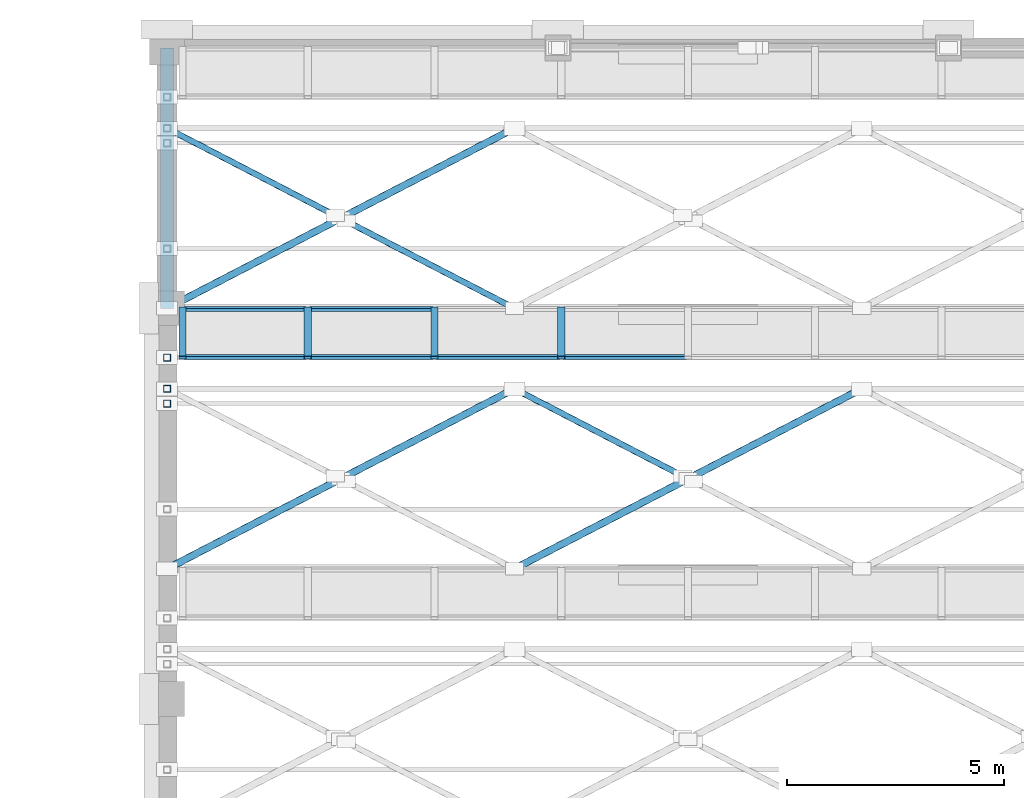
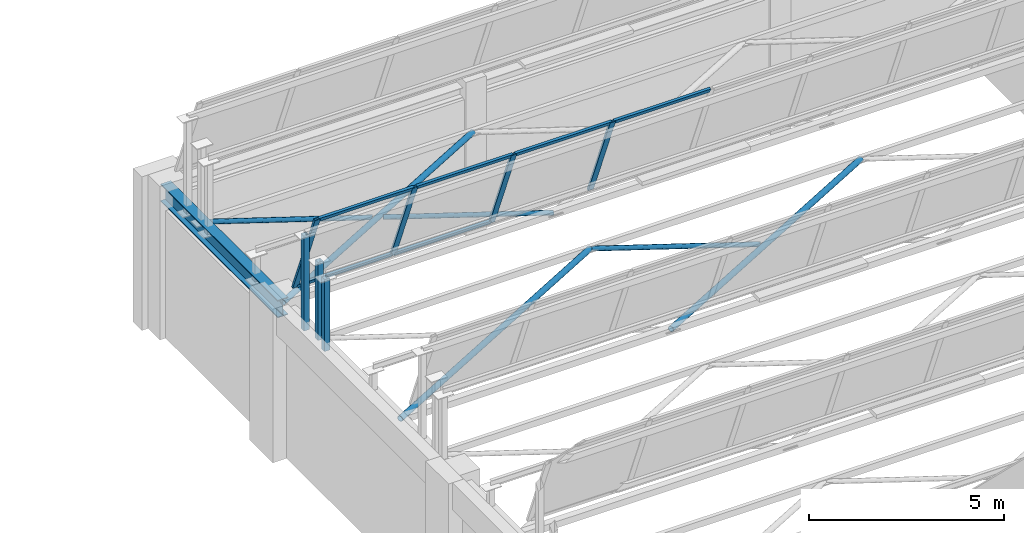
# One storey, part 59 of 98: 19 members, 1 beam, 1 element without a shape of its own.
"""IFC4 building model written with IfcOpenShell, lengths in metres."""

from ifc_helpers import new_model, si_unit, direction, frame, origin, origin_2d, place, context, subcontext, project, spatial, hollow_rectangle, hollow_circle, i_section, extrude, material, material_profile, profile_set, type_object, element, aggregate, save


model = new_model("IFC4")

# Units and contexts
model_context = context("Model", 3, precision=1e-05, world=origin(), true_north=direction((0.0, 1.0)))
body_context = subcontext(model_context, "Body", "Model", "MODEL_VIEW")
ifc_project = project(units=[si_unit("LENGTHUNIT", "METRE"), si_unit("AREAUNIT", "SQUARE_METRE"), si_unit("VOLUMEUNIT", "CUBIC_METRE"), si_unit("PLANEANGLEUNIT", "RADIAN"), si_unit("MASSUNIT", "GRAM", prefix="KILO")], contexts=[model_context])

# Site, building, storey
site_placement = place(None, origin())
site = spatial("IfcSite", under=ifc_project, at=site_placement, CompositionType="ELEMENT")
building_placement = place(site_placement, origin())
building = spatial("IfcBuilding", under=site, at=building_placement, Name="Lykobir Media Centre", CompositionType="ELEMENT")
storey_placement = place(building_placement, frame((0.0, 0.0, 10.199951171875)))
storey = spatial("IfcBuildingStorey", under=building, at=storey_placement, Name="L02", CompositionType="ELEMENT", Elevation=10.199951171875)

# Beam
ifc_material_1 = material(Name="Steel S355", Category="steel")
ifc_material_profile_1 = material_profile(ifc_material_1, i_section(OverallWidth=0.300048828125, OverallDepth=0.550048828125, WebThickness=0.014892578125, FlangeThickness=0.029052734375, at=origin_2d()), Name="HEB 550")
ifc_profile_set_1 = profile_set([ifc_material_profile_1], Name="Steel S355")
beam_type = type_object("IfcBeamType", Name="BM-HEB550-E", PredefinedType="BEAM", material=ifc_profile_set_1)
beam_placement = place(storey_placement, frame((144.0, 108.0, 4.275146484375), z_axis=(0.0, 1.0, 0.0), x_axis=(-1.0, 0.0, 0.0)))
element("IfcBeam", 1, at=beam_placement, inside=storey, type_object=beam_type, Name="Beam BM-L02-1440-1080-1440-1140-1448", PredefinedType="BEAM", context=body_context, shape_type="SweptSolid", body=[
    extrude(i_section(OverallWidth=0.300048828125, OverallDepth=0.550048828125, WebThickness=0.014892578125, FlangeThickness=0.029052734375, at=origin_2d()), origin(), (0.0, 0.0, 1.0), 6.0),
])

# Members
ifc_material_profile_2 = material_profile(ifc_material_1, hollow_circle(Radius=0.06982421875, WallThickness=0.008056640625, at=origin_2d()), Name="CHS 139.7x8.0")
ifc_profile_set_2 = profile_set([ifc_material_profile_2], Name="Steel S355")
member_type_1 = type_object("IfcMemberType", Name="BR-CHS140", PredefinedType="BRACE", material=ifc_profile_set_2)
member_1_placement = place(storey_placement, frame((155.875732421875, 104.136962890625, 4.43994140625), z_axis=(-0.88790262671, 0.460031439666, 0.0), x_axis=(-0.460031439666, -0.88790262671, 0.0)))
element("IfcMember", 2, at=member_1_placement, inside=storey, type_object=member_type_1, Name="Diagonal brace MEM2-L02-1559-1041-0146-1520-1061-0393", PredefinedType="BRACE", context=body_context, shape_type="SweptSolid", body=[
    extrude(hollow_circle(Radius=0.06982421875, WallThickness=0.008056640625, at=origin_2d()), origin(), (0.0, 0.0, 1.0), 4.364990234375),
])
member_2_placement = place(storey_placement, frame((152.0, 108.0, 4.43994140625), z_axis=(-0.887879780504, 0.460075532247, 0.0), x_axis=(-0.460075532247, -0.887879780504, 0.0)))
element("IfcMember", 3, at=member_2_placement, inside=storey, type_object=member_type_1, Name="Diagonal brace MEM2-L02-1520-1080-0146-1481-1100-0409", PredefinedType="BRACE", context=body_context, shape_type="SweptSolid", body=[
    extrude(hollow_circle(Radius=0.06982421875, WallThickness=0.008056640625, at=origin_2d()), origin(), (0.0, 0.0, 1.0), 4.365234375),
])
member_3_placement = place(storey_placement, frame((147.875732421875, 110.136962890625, 4.43994140625), z_axis=(-0.88790262671, 0.460031439666, 0.0), x_axis=(-0.460031439666, -0.88790262671, 0.0)))
element("IfcMember", 4, at=member_3_placement, inside=storey, type_object=member_type_1, Name="Diagonal brace MEM2-L02-1479-1101-0146-1440-1121-0410", PredefinedType="BRACE", context=body_context, shape_type="SweptSolid", body=[
    extrude(hollow_circle(Radius=0.06982421875, WallThickness=0.008056640625, at=origin_2d()), origin(), (0.0, 0.0, 1.0), 4.364990234375),
])
ifc_material_profile_3 = material_profile(ifc_material_1, hollow_circle(Radius=0.084228515625, WallThickness=0.010009765625, at=origin_2d()), Name="CHS 168.3x10.0")
ifc_profile_set_3 = profile_set([ifc_material_profile_3], Name="Steel S355")
member_type_2 = type_object("IfcMemberType", Name="BR-CHS168", PredefinedType="BRACE", material=ifc_profile_set_3)
for number, where, z_axis, x_axis, name in (
    (5, (144.0, 102.0, 4.43994140625), (0.887896386773, 0.460043483113, 0.0), (-0.460043483113, 0.887896386773, 0.0), "Diagonal brace MEM2-L02-1440-1020-0146-1520-1061-0388"),
    (6, (152.0, 102.0, 4.43994140625), (0.887896386773, 0.460043483113, 0.0), (-0.460043483113, 0.887896386773, 0.0), "Diagonal brace MEM2-L02-1520-1020-0146-1600-1061-0391"),
    (7, (144.0, 108.0, 4.43994140625), (0.887896386773, 0.460043483113, 0.0), (-0.460043483113, 0.887896386773, 0.0), "Diagonal brace MEM2-L02-1440-1080-0146-1520-1121-0408"),
):
    element("IfcMember", number, at=place(storey_placement, frame(where, z_axis=z_axis, x_axis=x_axis)), inside=storey, type_object=member_type_2, Name=name, PredefinedType="BRACE", context=body_context, shape_type="SweptSolid", body=[
        extrude(hollow_circle(Radius=0.084228515625, WallThickness=0.010009765625, at=origin_2d()), origin(), (0.0, 0.0, 1.0), 9.010009765625),
    ])
ifc_material_profile_4 = material_profile(ifc_material_1, hollow_rectangle(XDim=0.159912109375, YDim=0.159912109375, WallThickness=0.008056640625, at=origin_2d()), Name="SHS 160x160x8")
ifc_profile_set_4 = profile_set([ifc_material_profile_4], Name="Steel S355")
member_type_3 = type_object("IfcMemberType", Name="BR-SHS160", PredefinedType="BRACE", material=ifc_profile_set_4)
member_4_placement = place(storey_placement, frame((144.0, 106.864990234375, 4.300048828125), z_axis=(0.0, 0.0, 1.0), x_axis=(1.0, 0.0, 0.0)))
element("IfcMember", 8, at=member_4_placement, inside=storey, type_object=member_type_3, Name="Diagonal brace MEM2-L02-1440-1069-0145-1440-1069-0382", PredefinedType="BRACE", context=body_context, shape_type="SweptSolid", body=[
    extrude(hollow_rectangle(XDim=0.159912109375, YDim=0.159912109375, WallThickness=0.008056640625, at=origin_2d()), origin(), (0.0, 0.0, 1.0), 2.958984375),
])
member_5_placement = place(storey_placement, frame((144.0, 106.14501953125, 4.43994140625), z_axis=(0.0, 0.0, 1.0), x_axis=(1.0, 0.0, 0.0)))
element("IfcMember", 9, at=member_5_placement, inside=storey, type_object=member_type_3, Name="Diagonal brace MEM2-L02-1440-1061-0146-1440-1061-0384", PredefinedType="BRACE", context=body_context, shape_type="SweptSolid", body=[
    extrude(hollow_rectangle(XDim=0.159912109375, YDim=0.159912109375, WallThickness=0.008056640625, at=origin_2d()), origin(), (0.0, 0.0, 1.0), 2.433349609375),
])
member_6_placement = place(storey_placement, frame((144.0, 105.805908203125, 4.300048828125), z_axis=(0.0, 0.0, 1.0), x_axis=(1.0, 0.0, 0.0)))
element("IfcMember", 10, at=member_6_placement, inside=storey, type_object=member_type_3, Name="Diagonal brace MEM2-L02-1440-1058-0145-1440-1058-0399", PredefinedType="BRACE", context=body_context, shape_type="SweptSolid", body=[
    extrude(hollow_rectangle(XDim=0.159912109375, YDim=0.159912109375, WallThickness=0.008056640625, at=origin_2d()), origin(), (0.0, 0.0, 1.0), 2.24462890625),
])

# Curtain wall, members
ifc_material_2 = material(Name="Anodized Aluminium AW-6060", Category="aluminium")
curtain_wall_type = type_object("IfcCurtainWallType", Name="CW-NL-V2", PredefinedType="NOTDEFINED", material=ifc_material_2)
curtain_wall_placement = place(storey_placement, origin())
curtain_wall = element("IfcCurtainWall", 11, at=curtain_wall_placement, inside=storey, type_object=curtain_wall_type, Name="Curtain wall CW-NL-V2-06", PredefinedType="NOTDEFINED")
ifc_material_profile_5 = material_profile(ifc_material_2, hollow_rectangle(XDim=0.070068359375, YDim=0.1650390625, WallThickness=0.00390625, at=origin_2d()), Name="ALU MULLION 70x165")
ifc_profile_set_5 = profile_set([ifc_material_profile_5], Name="Anodized Aluminium AW-6060")
member_type_4 = type_object("IfcMemberType", Name="CWM-165", PredefinedType="MULLION", material=ifc_profile_set_5)
member_7_placement = place(storey_placement, frame((144.35498046875, 108.0, 4.800048828125), z_axis=(0.0, -0.374653582974, 0.927164868168), x_axis=(0.0, 0.927164868168, 0.374653582974)))
member_7 = element("IfcMember", 12, at=member_7_placement, type_object=member_type_4, Name="CW-NL-V2-06 mullion 1", PredefinedType="MULLION", context=body_context, shape_type="SweptSolid", body=[
    extrude(hollow_rectangle(XDim=0.070068359375, YDim=0.1650390625, WallThickness=0.00390625, at=origin_2d()), origin(), (0.0, 0.0, 1.0), 3.029541015625),
])
member_8_placement = place(storey_placement, frame((147.239990234375, 108.0, 4.800048828125), z_axis=(0.0, -0.374653582974, 0.927164868168), x_axis=(0.0, 0.927164868168, 0.374653582974)))
member_8 = element("IfcMember", 13, at=member_8_placement, type_object=member_type_4, Name="CW-NL-V2-06 mullion 2", PredefinedType="MULLION", context=body_context, shape_type="SweptSolid", body=[
    extrude(hollow_rectangle(XDim=0.070068359375, YDim=0.1650390625, WallThickness=0.00390625, at=origin_2d()), origin(), (0.0, 0.0, 1.0), 3.029541015625),
])
member_9_placement = place(storey_placement, frame((150.159912109375, 108.0, 4.800048828125), z_axis=(0.0, -0.374653582974, 0.927164868168), x_axis=(0.0, 0.927164868168, 0.374653582974)))
member_9 = element("IfcMember", 14, at=member_9_placement, type_object=member_type_4, Name="CW-NL-V2-06 mullion 3", PredefinedType="MULLION", context=body_context, shape_type="SweptSolid", body=[
    extrude(hollow_rectangle(XDim=0.070068359375, YDim=0.1650390625, WallThickness=0.00390625, at=origin_2d()), origin(), (0.0, 0.0, 1.0), 3.029541015625),
])
member_10_placement = place(storey_placement, frame((153.080078125, 108.0, 4.800048828125), z_axis=(0.0, -0.374653582974, 0.927164868168), x_axis=(0.0, 0.927164868168, 0.374653582974)))
member_10 = element("IfcMember", 15, at=member_10_placement, type_object=member_type_4, Name="CW-NL-V2-06 mullion 4", PredefinedType="MULLION", context=body_context, shape_type="SweptSolid", body=[
    extrude(hollow_rectangle(XDim=0.070068359375, YDim=0.1650390625, WallThickness=0.00390625, at=origin_2d()), origin(), (0.0, 0.0, 1.0), 3.029541015625),
])
ifc_material_profile_6 = material_profile(ifc_material_2, hollow_rectangle(XDim=0.070068359375, YDim=0.135009765625, WallThickness=0.00341796875, at=origin_2d()), Name="ALU TRANSOM 70x135")
ifc_profile_set_6 = profile_set([ifc_material_profile_6], Name="Anodized Aluminium AW-6060")
member_type_5 = type_object("IfcMemberType", Name="CWT-135", PredefinedType="USERDEFINED", material=ifc_profile_set_6)
member_11_placement = place(storey_placement, frame((144.389892578125, 107.98681640625, 4.83251953125), z_axis=(1.0, 0.0, 0.0), x_axis=(0.0, 0.927183854567, 0.374606593416)))
member_11 = element("IfcMember", 16, at=member_11_placement, type_object=member_type_5, Name="CW-NL-V2-06 transom 1.1", ObjectType="TRANSOM", PredefinedType="USERDEFINED", context=body_context, shape_type="SweptSolid", body=[
    extrude(hollow_rectangle(XDim=0.070068359375, YDim=0.135009765625, WallThickness=0.00341796875, at=origin_2d()), origin(), (0.0, 0.0, 1.0), 2.815185546875),
])
member_12_placement = place(storey_placement, frame((144.389892578125, 106.878173828125, 7.57666015625), z_axis=(1.0, 0.0, 0.0), x_axis=(0.0, 0.927183854567, 0.374606593416)))
member_12 = element("IfcMember", 17, at=member_12_placement, type_object=member_type_5, Name="CW-NL-V2-06 transom 1.2", ObjectType="TRANSOM", PredefinedType="USERDEFINED", context=body_context, shape_type="SweptSolid", body=[
    extrude(hollow_rectangle(XDim=0.070068359375, YDim=0.135009765625, WallThickness=0.00341796875, at=origin_2d()), origin(), (0.0, 0.0, 1.0), 2.815185546875),
])
member_13_placement = place(storey_placement, frame((147.27490234375, 107.98681640625, 4.83251953125), z_axis=(1.0, 0.0, 0.0), x_axis=(0.0, 0.927183854567, 0.374606593416)))
member_13 = element("IfcMember", 18, at=member_13_placement, type_object=member_type_5, Name="CW-NL-V2-06 transom 2.1", ObjectType="TRANSOM", PredefinedType="USERDEFINED", context=body_context, shape_type="SweptSolid", body=[
    extrude(hollow_rectangle(XDim=0.070068359375, YDim=0.135009765625, WallThickness=0.00341796875, at=origin_2d()), origin(), (0.0, 0.0, 1.0), 2.85009765625),
])
member_14_placement = place(storey_placement, frame((147.27490234375, 106.878173828125, 7.57666015625), z_axis=(1.0, 0.0, 0.0), x_axis=(0.0, 0.927183854567, 0.374606593416)))
member_14 = element("IfcMember", 19, at=member_14_placement, type_object=member_type_5, Name="CW-NL-V2-06 transom 2.2", ObjectType="TRANSOM", PredefinedType="USERDEFINED", context=body_context, shape_type="SweptSolid", body=[
    extrude(hollow_rectangle(XDim=0.070068359375, YDim=0.135009765625, WallThickness=0.00341796875, at=origin_2d()), origin(), (0.0, 0.0, 1.0), 2.85009765625),
])
member_15_placement = place(storey_placement, frame((150.195068359375, 106.878173828125, 7.57666015625), z_axis=(1.0, 0.0, 0.0), x_axis=(0.0, 0.927183854567, 0.374606593416)))
member_15 = element("IfcMember", 20, at=member_15_placement, type_object=member_type_5, Name="CW-NL-V2-06 transom 3.2", ObjectType="TRANSOM", PredefinedType="USERDEFINED", context=body_context, shape_type="SweptSolid", body=[
    extrude(hollow_rectangle(XDim=0.070068359375, YDim=0.135009765625, WallThickness=0.00341796875, at=origin_2d()), origin(), (0.0, 0.0, 1.0), 2.849853515625),
])
member_16_placement = place(storey_placement, frame((153.114990234375, 106.878173828125, 7.57666015625), z_axis=(1.0, 0.0, 0.0), x_axis=(0.0, 0.927183854567, 0.374606593416)))
member_16 = element("IfcMember", 21, at=member_16_placement, type_object=member_type_5, Name="CW-NL-V2-06 transom 4.2", ObjectType="TRANSOM", PredefinedType="USERDEFINED", context=body_context, shape_type="SweptSolid", body=[
    extrude(hollow_rectangle(XDim=0.070068359375, YDim=0.135009765625, WallThickness=0.00341796875, at=origin_2d()), origin(), (0.0, 0.0, 1.0), 2.85009765625),
])
aggregate(curtain_wall, [member_7, member_8, member_9, member_10, member_11, member_12, member_13, member_14, member_15, member_16])

save(model, "model.ifc")
